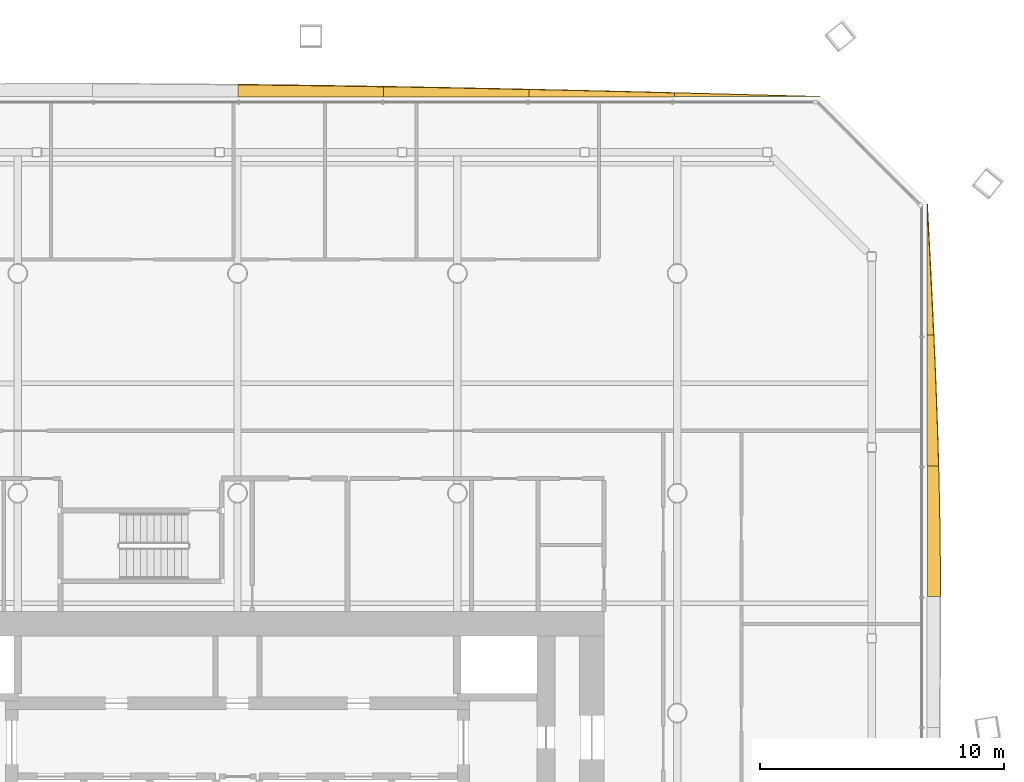
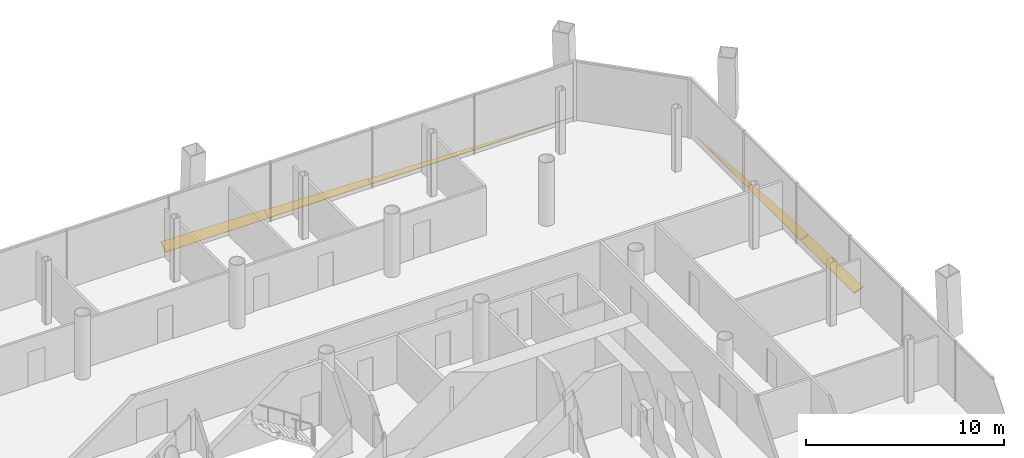
# One storey, part 19 of 19: 7 shading devices.
"""IFC4 building model written with IfcOpenShell, lengths in metres."""

import ifcopenshell
import ifcopenshell.guid

model = None  # the IFC model being written
_history = None  # IfcOwnerHistory: only IFC2X3 demands one
_inside = {}  # id of a spatial element -> (the spatial element, [elements in it])
_under = {}  # id of a project, library or spatial element -> (it, [spatial elements below it])
_declared = {}  # id of a project -> (the project, [libraries it declares])
_typed = {}  # id of a type object -> (the type object, [elements of that type])
_made_of = {}  # id of a material, layer set ... -> (it, [elements and type objects made of it])


def new_model(schema):
    """Start an empty IFC model of exactly this schema.

    Asked for "IFC4X3", IfcOpenShell would pick the latest addendum, in which some entities
    have other attributes; the version numbers below select the first issue.
    IFC2X3 requires an IfcOwnerHistory on every rooted entity: one is made here for all.
    """
    global model, _history
    if schema == "IFC4X3":
        model = ifcopenshell.file(schema_version=(4, 3, 0, 0))
    else:
        model = ifcopenshell.file(schema=schema)
    _inside.clear()
    _under.clear()
    _declared.clear()
    _typed.clear()
    _made_of.clear()
    _history = None
    if model.schema == "IFC2X3":
        org = make("IfcOrganization", Name="unknown")
        user = make(
            "IfcPersonAndOrganization",
            ThePerson=make("IfcPerson", FamilyName="unknown"),
            TheOrganization=org,
        )
        app = make(
            "IfcApplication",
            ApplicationDeveloper=org,
            Version="unknown",
            ApplicationFullName="unknown",
            ApplicationIdentifier="unknown",
        )
        _history = make(
            "IfcOwnerHistory",
            OwningUser=user,
            OwningApplication=app,
            ChangeAction="ADDED",
            CreationDate=0,
        )
    return model


def make(cls, **values):
    """One entity of the class cls with the attributes given. An attribute that is None is left unset."""
    return model.create_entity(
        cls, **{name: value for name, value in values.items() if value is not None}
    )


def rooted(cls, **values):
    """An entity with a GlobalId (a new one), such as an element, a storey or a relation."""
    return make(cls, GlobalId=ifcopenshell.guid.new(), OwnerHistory=_history, **values)


def si_unit(unit_type, name, prefix=None):
    """IfcSIUnit, for example si_unit("LENGTHUNIT", "METRE", prefix="MILLI")."""
    return make("IfcSIUnit", UnitType=unit_type, Prefix=prefix, Name=name)


def assignment(units):
    """IfcUnitAssignment: the units of a project."""
    return None if units is None else make("IfcUnitAssignment", Units=units)


def point(xyz):
    """IfcCartesianPoint."""
    return None if xyz is None else make("IfcCartesianPoint", Coordinates=xyz)


def direction(xyz):
    """IfcDirection."""
    return None if xyz is None else make("IfcDirection", DirectionRatios=xyz)


def frame(location, z_axis=None, x_axis=None):
    """IfcAxis2Placement3D, a coordinate frame: its origin and axes. An axis left out is left unset."""
    return make(
        "IfcAxis2Placement3D",
        Location=point(location),
        Axis=direction(z_axis),
        RefDirection=direction(x_axis),
    )


def origin():
    """The frame at (0, 0, 0) with its axes left unset."""
    return frame((0.0, 0.0, 0.0))


def place(relative_to, where):
    """IfcLocalPlacement: puts the frame where relative to a parent placement (None: the world)."""
    return make(
        "IfcLocalPlacement", PlacementRelTo=relative_to, RelativePlacement=where
    )


def context(
    kind, dimensions, precision=None, world=None, true_north=None, identifier=None
):
    """IfcGeometricRepresentationContext, for example the 3D "Model" context."""
    return make(
        "IfcGeometricRepresentationContext",
        ContextIdentifier=identifier,
        ContextType=kind,
        CoordinateSpaceDimension=dimensions,
        Precision=precision,
        WorldCoordinateSystem=world,
        TrueNorth=true_north,
    )


def subcontext(parent, identifier, kind, view, scale=None):
    """IfcGeometricRepresentationSubContext, for example "Body" below "Model"."""
    return make(
        "IfcGeometricRepresentationSubContext",
        ContextIdentifier=identifier,
        ContextType=kind,
        ParentContext=parent,
        TargetScale=scale,
        TargetView=view,
    )


def project(units=None, contexts=None):
    """IfcProject with its units and contexts."""
    return rooted(
        "IfcProject",
        Name="project",
        RepresentationContexts=contexts,
        UnitsInContext=assignment(units),
    )


def spatial(cls, under=None, at=None, **own):
    """A site, building, storey or space (cls), placed at a placement, below another one or the project."""
    s = rooted(cls, ObjectPlacement=at, **own)
    if under is not None:
        _under.setdefault(under.id(), (under, []))[1].append(s)
    return s


def polyline(points):
    """IfcPolyline through the points."""
    return make("IfcPolyline", Points=[point(p) for p in points])


def outline(outer, holes=None, kind="AREA"):
    """IfcArbitraryClosedProfileDef: a profile drawn as a closed curve; with holes, ...WithVoids."""
    if holes is None:
        return make("IfcArbitraryClosedProfileDef", ProfileType=kind, OuterCurve=outer)
    return make(
        "IfcArbitraryProfileDefWithVoids",
        ProfileType=kind,
        OuterCurve=outer,
        InnerCurves=holes,
    )


def extrude(swept, where, along, depth):
    """IfcExtrudedAreaSolid: the profile swept, set in the frame where, extruded along a direction by depth."""
    return make(
        "IfcExtrudedAreaSolid",
        SweptArea=swept,
        Position=where,
        ExtrudedDirection=direction(along),
        Depth=depth,
    )


def shape(context_of_items, identifier, shape_type, items):
    """IfcShapeRepresentation: the items that make up one representation, for example the "Body"."""
    return make(
        "IfcShapeRepresentation",
        ContextOfItems=context_of_items,
        RepresentationIdentifier=identifier,
        RepresentationType=shape_type,
        Items=items,
    )


def material(Name=None, Category=None):
    """IfcMaterial."""
    return make("IfcMaterial", Name=Name, Category=Category)


def layer(
    of_material, thickness, ventilated=None, Name=None, Category=None, Priority=None
):
    """IfcMaterialLayer: one layer of a wall or slab, of a material (None: an air gap)."""
    return make(
        "IfcMaterialLayer",
        Material=of_material,
        LayerThickness=thickness,
        IsVentilated=ventilated,
        Name=Name,
        Category=Category,
        Priority=Priority,
    )


def layer_set(layers, Name=None):
    """IfcMaterialLayerSet."""
    return make("IfcMaterialLayerSet", MaterialLayers=layers, LayerSetName=Name)


def made_of(thing, what):
    """Note that an element or type object is made of a material, layer set ...; save() writes the relation."""
    if what is not None:
        _made_of.setdefault(what.id(), (what, []))[1].append(thing)
    return thing


def type_object(cls, material=None, **own):
    """A type object (cls), such as IfcWallType, which elements share."""
    return made_of(rooted(cls, **own), material)


def element(
    cls,
    number,
    at=None,
    inside=None,
    cuts=None,
    type_object=None,
    material=None,
    context=None,
    identifier="Body",
    shape_type=None,
    held_by="IfcProductDefinitionShape",
    body=None,
    shapes=None,
    **own,
):
    """One element of the class cls, such as IfcWall. Its Tag is "e" and its number.

    at: its placement. inside: the storey or other place that contains it. cuts: it is an
    opening in that element (IfcRelVoidsElement). A single representation is given by context,
    identifier, shape_type and body (its items); several are given by shapes. held_by: the class
    of the entity that holds the representations. save() writes the other relations.
    """
    e = rooted(cls, Tag="e%d" % number, ObjectPlacement=at, **own)
    if body is not None:
        shapes = [shape(context, identifier, shape_type, body)]
    if shapes is not None:
        e.Representation = make(held_by, Representations=shapes)
    if inside is not None:
        _inside.setdefault(inside.id(), (inside, []))[1].append(e)
    if cuts is not None:
        rooted(
            "IfcRelVoidsElement", RelatingBuildingElement=cuts, RelatedOpeningElement=e
        )
    if type_object is not None:
        _typed.setdefault(type_object.id(), (type_object, []))[1].append(e)
    return made_of(e, material)


def aggregate(whole, parts):
    """IfcRelAggregates: a whole, such as a stair, and the parts it consists of."""
    return rooted("IfcRelAggregates", RelatingObject=whole, RelatedObjects=parts)


def save(model, path):
    """Write the relations noted so far, then the file.

    IfcRelAggregates (storeys below a building ...), IfcRelContainedInSpatialStructure (elements
    in a storey), IfcRelDefinesByType, IfcRelAssociatesMaterial and IfcRelDeclares: one each for
    every whole, place, type object, material and project.
    """
    for whole, parts in _under.values():
        aggregate(whole, parts)
    for where, things in _inside.values():
        rooted(
            "IfcRelContainedInSpatialStructure",
            RelatedElements=things,
            RelatingStructure=where,
        )
    for kind, things in _typed.values():
        rooted("IfcRelDefinesByType", RelatedObjects=things, RelatingType=kind)
    for what, things in _made_of.values():
        rooted("IfcRelAssociatesMaterial", RelatedObjects=things, RelatingMaterial=what)
    for by, libraries in _declared.values():
        rooted("IfcRelDeclares", RelatingContext=by, RelatedDefinitions=libraries)
    model.write(path)


model = new_model("IFC4")

# Units and contexts
model_context = context("Model", 3, precision=1e-05, world=origin(), true_north=direction((0.0, 1.0)))
body_context = subcontext(model_context, "Body", "Model", "MODEL_VIEW")
ifc_project = project(units=[si_unit("LENGTHUNIT", "METRE"), si_unit("AREAUNIT", "SQUARE_METRE"), si_unit("VOLUMEUNIT", "CUBIC_METRE"), si_unit("PLANEANGLEUNIT", "RADIAN"), si_unit("MASSUNIT", "GRAM", prefix="KILO")], contexts=[model_context])

# Site, building, storey
site_placement = place(None, origin())
site = spatial("IfcSite", under=ifc_project, at=site_placement, CompositionType="ELEMENT")
building_placement = place(site_placement, origin())
building = spatial("IfcBuilding", under=site, at=building_placement, Name="Tskaro Facet Tower", CompositionType="ELEMENT")
storey_placement = place(building_placement, frame((0.0, 0.0, 81.60009765625)))
storey = spatial("IfcBuildingStorey", under=building, at=storey_placement, Name="L19", CompositionType="ELEMENT", Elevation=81.60009765625)

# Shading devices
ifc_material = material(Name="Bronze anodised aluminium 6063-T6", Category="aluminium")
ifc_layer = layer(ifc_material, 0.06005859375, Name="Bronze anodised aluminium 6063-T6")
ifc_layer_set = layer_set([ifc_layer], Name="Bronze anodised aluminium 6063-T6")
shading_device_type = type_object("IfcShadingDeviceType", Name="Bronze sun blade (FN1)", PredefinedType="USERDEFINED", material=ifc_layer_set)
shading_device_1_placement = place(storey_placement, frame((28.240478515625, 4.763916015625, 0.056396484375), z_axis=(-0.341754298884, -1.712891e-06, 0.939789337666), x_axis=(-5.85388e-07, 0.999999999999, 1.609757e-06)))
element("IfcShadingDevice", 1, at=shading_device_1_placement, inside=storey, type_object=shading_device_type, Name="Fin blade east 6", ObjectType="FIN", PredefinedType="USERDEFINED", context=body_context, shape_type="SweptSolid", body=[
    extrude(outline(polyline([(0.0, 0.0), (5.361328124992134, 0.0), (5.361328125053498, -0.4928200292446294), (4.691162109393386, -0.5107373441301729), (4.0209960936975895, -0.5265688246412059), (3.3508300781090243, -0.5400850300214617), (2.680664062484773, -0.551515401027207), (2.0104980469677534, -0.560630496902175), (1.340332031164959, -0.5673468815382399), (0.6701660156123128, -0.5715185502872611), (2.3981395599761225e-11, -0.5736043846617717), (0.0, 0.0)])), origin(), (0.0, 0.0, -1.0), 0.06005859375),
])
shading_device_2_placement = place(storey_placement, frame((28.235595703125, 10.125244140625, 0.05419921875), z_axis=(-0.422816453745, -1.985499e-06, 0.9062153422), x_axis=(-8.39502e-07, 0.999999999998, 1.79929e-06)))
element("IfcShadingDevice", 2, at=shading_device_2_placement, inside=storey, type_object=shading_device_type, Name="Fin blade east 7", ObjectType="FIN", PredefinedType="USERDEFINED", context=body_context, shape_type="SweptSolid", body=[
    extrude(outline(polyline([(0.0, 0.0), (5.3613281249894325, 0.0), (5.361328124975306, -0.29391955891081933), (4.691162109385882, -0.3267952448512792), (4.020996093708358, -0.3580337868917273), (3.3508300781770566, -0.3879596556854713), (2.680664062557655, -0.4162483805792036), (2.010498046850153, -0.44289996157292416), (1.3403320312595075, -0.46769315468660333), (0.6701660155513944, -0.4903034892669336), (-3.986262749462816e-11, -0.5110554359672225), (0.0, 0.0)])), origin(), (0.0, 0.0, -1.0), 0.06005859375),
])
shading_device_3_placement = place(storey_placement, frame((28.23095703125, 15.486572265625, 0.0517578125), z_axis=(-0.500290525387, -1.5547167e-05, 0.865857603747), x_axis=(-7.7781e-06, 0.999999999879, 1.3461633e-05)))
element("IfcShadingDevice", 3, at=shading_device_3_placement, inside=storey, type_object=shading_device_type, Name="Fin blade east 8", ObjectType="FIN", PredefinedType="USERDEFINED", context=body_context, shape_type="SweptSolid", body=[
    extrude(outline(polyline([(0.0, 0.0), (5.3613281243520445, -4.541221562916122e-21), (4.691162110040259, -0.0403666384186785), (4.020996094340891, -0.0803997445792274), (3.3508300791528924, -0.11988792746508133), (2.680664062577313, -0.15904257809280564), (2.0104980465131024, -0.197652305445835), (1.3403320295726797, -0.2353835772660398), (0.6701660136549955, -0.27202500253685474), (-1.2399504866940742e-09, -0.3075765812582797), (0.0, 0.0)])), origin(), (0.0, 0.0, -1.0), 0.06005859375),
])
shading_device_4_placement = place(storey_placement, frame((23.847900390625, 25.240478515625, 0.056396484375), z_axis=(1.2121276e-05, -0.340620512581, 0.940200864849), x_axis=(-0.999999999927, -4.128755e-06, 1.1396434e-05)))
element("IfcShadingDevice", 4, at=shading_device_4_placement, inside=storey, type_object=shading_device_type, Name="Fin blade north 1", ObjectType="FIN", PredefinedType="USERDEFINED", context=body_context, shape_type="SweptSolid", body=[
    extrude(outline(polyline([(0.0, 0.0), (5.956542968312417, 0.0), (5.956542969178881, -0.16465577789482755), (5.211914062694032, -0.14465264289687044), (4.467285157217179, -0.12441996667212679), (3.7226562499659916, -0.10387458991576108), (2.9782714833397854, -0.0833292131593954), (2.233642577096594, -0.06255429517624317), (1.4890136708534034, -0.04177937719309096), (0.7443847656182091, -0.02077491798315222), (0.0, 0.0)])), origin(), (0.0, 0.0, -1.0), 0.06005859375),
])
shading_device_5_placement = place(storey_placement, frame((17.891357421875, 25.235595703125, 0.05419921875), z_axis=(-1.99342e-06, -0.422705723993, 0.906266997578), x_axis=(-0.999999999998, 8.4263e-07, -1.806571e-06)))
element("IfcShadingDevice", 5, at=shading_device_5_placement, inside=storey, type_object=shading_device_type, Name="Fin blade north 2", ObjectType="FIN", PredefinedType="USERDEFINED", context=body_context, shape_type="SweptSolid", body=[
    extrude(outline(polyline([(0.0, 0.0), (5.956542968738165, 0.0), (5.956542968814462, -0.32756221058640267), (5.2119140626908, -0.30921437391568746), (4.4672851561556985, -0.29042402406256007), (3.722900390480933, -0.2713092179785797), (2.9782714844165046, -0.2518699556637463), (2.2336425781463563, -0.23220943675770686), (1.489013671905825, -0.21200320502960832), (0.7443847654595731, -0.1915757167103037), (7.93783476354555e-11, -0.17104502875135214), (0.0, 0.0)])), origin(), (0.0, 0.0, -1.0), 0.06005859375),
])
shading_device_6_placement = place(storey_placement, frame((11.934814453125, 25.23095703125, 0.0517578125), z_axis=(-2.641004e-06, -0.500112623299, 0.865960370924), x_axis=(-0.999999999997, 1.320799e-06, -2.287005e-06)))
element("IfcShadingDevice", 6, at=shading_device_6_placement, inside=storey, type_object=shading_device_type, Name="Fin blade north 3", ObjectType="FIN", PredefinedType="USERDEFINED", context=body_context, shape_type="SweptSolid", body=[
    extrude(outline(polyline([(0.0, 0.0), (5.956542968729227, 0.0), (5.9565429689107585, -0.4775505405121345), (5.211914062323455, -0.46268255263173175), (4.467285156207933, -0.4471475369221166), (3.7229003906308398, -0.43106759119171184), (2.9782714843421765, -0.4144427154405176), (2.2336425779669415, -0.3972729096685338), (1.489013671827597, -0.3797695899819437), (0.7446289064625705, -0.36138782635995786), (1.500842866290126e-10, -0.3427946466317888), (0.0, 0.0)])), origin(), (0.0, 0.0, -1.0), 0.06005859375),
])
shading_device_7_placement = place(storey_placement, frame((5.978271484375, 25.2265625, 0.049072265625), z_axis=(-2.80246e-06, -0.573455014448, 0.819237051406), x_axis=(-0.999999999996, 1.607085e-06, -2.295879e-06)))
element("IfcShadingDevice", 7, at=shading_device_7_placement, inside=storey, type_object=shading_device_type, Name="Fin blade north 4", ObjectType="FIN", PredefinedType="USERDEFINED", context=body_context, shape_type="SweptSolid", body=[
    extrude(outline(polyline([(0.0, 0.0), (5.95654296872661, 1.261347036566798e-21), (5.956542968711441, -0.6049635717516499), (5.211914062408559, -0.595143188932103), (4.467529296674648, -0.584442771644019), (3.722900390652063, -0.573062328933152), (2.9782714845734484, -0.5608018517537476), (2.2336425778782876, -0.5478013437714433), (1.4890136719118066, -0.5343208194121103), (0.7446289065142951, -0.5199602605842402), (-1.2476181570907598e-10, -0.5048596709534698), (0.0, 0.0)])), origin(), (0.0, 0.0, -1.0), 0.06005859375),
])

save(model, "model.ifc")
